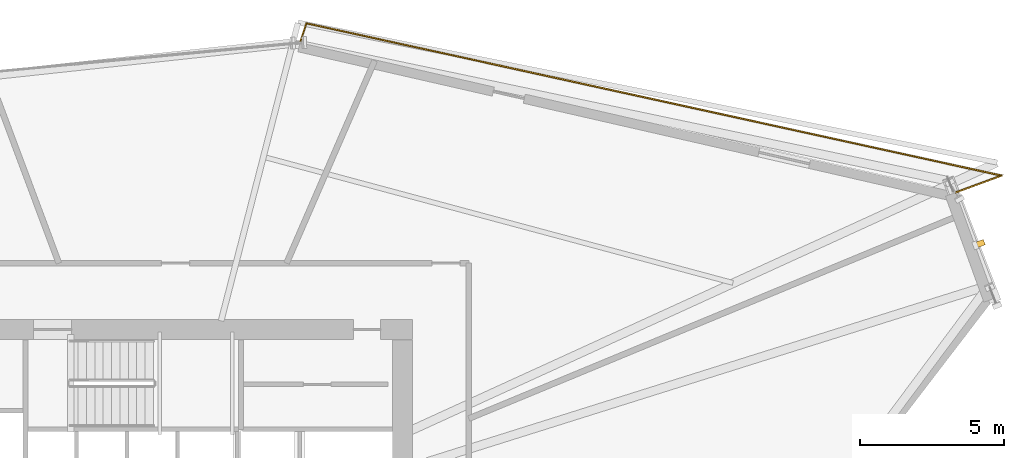
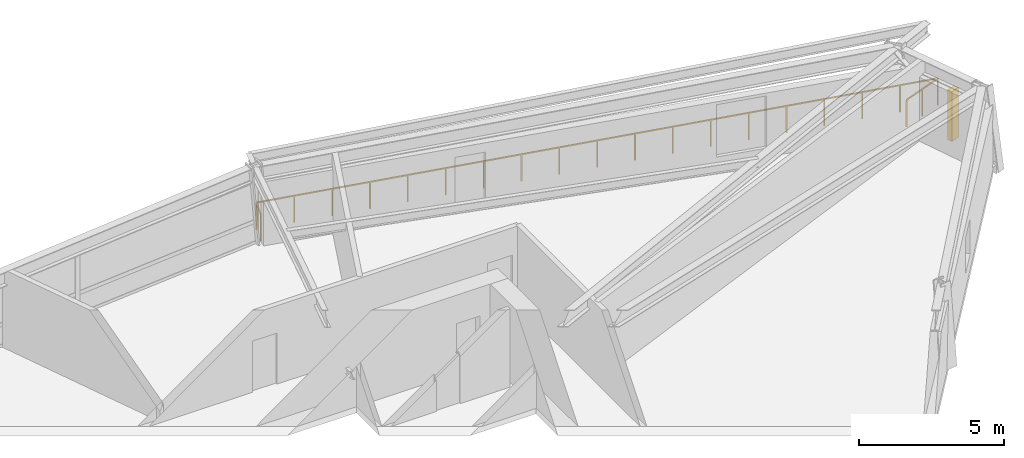
# One storey, part 17 of 17: 1 railing, 1 shading device.
"""IFC4 building model written with IfcOpenShell, lengths in metres."""

import ifcopenshell
import ifcopenshell.guid

model = None  # the IFC model being written
_history = None  # IfcOwnerHistory: only IFC2X3 demands one
_inside = {}  # id of a spatial element -> (the spatial element, [elements in it])
_under = {}  # id of a project, library or spatial element -> (it, [spatial elements below it])
_declared = {}  # id of a project -> (the project, [libraries it declares])
_typed = {}  # id of a type object -> (the type object, [elements of that type])
_made_of = {}  # id of a material, layer set ... -> (it, [elements and type objects made of it])


def new_model(schema):
    """Start an empty IFC model of exactly this schema.

    Asked for "IFC4X3", IfcOpenShell would pick the latest addendum, in which some entities
    have other attributes; the version numbers below select the first issue.
    IFC2X3 requires an IfcOwnerHistory on every rooted entity: one is made here for all.
    """
    global model, _history
    if schema == "IFC4X3":
        model = ifcopenshell.file(schema_version=(4, 3, 0, 0))
    else:
        model = ifcopenshell.file(schema=schema)
    _inside.clear()
    _under.clear()
    _declared.clear()
    _typed.clear()
    _made_of.clear()
    _history = None
    if model.schema == "IFC2X3":
        org = make("IfcOrganization", Name="unknown")
        user = make(
            "IfcPersonAndOrganization",
            ThePerson=make("IfcPerson", FamilyName="unknown"),
            TheOrganization=org,
        )
        app = make(
            "IfcApplication",
            ApplicationDeveloper=org,
            Version="unknown",
            ApplicationFullName="unknown",
            ApplicationIdentifier="unknown",
        )
        _history = make(
            "IfcOwnerHistory",
            OwningUser=user,
            OwningApplication=app,
            ChangeAction="ADDED",
            CreationDate=0,
        )
    return model


def make(cls, **values):
    """One entity of the class cls with the attributes given. An attribute that is None is left unset."""
    return model.create_entity(
        cls, **{name: value for name, value in values.items() if value is not None}
    )


def rooted(cls, **values):
    """An entity with a GlobalId (a new one), such as an element, a storey or a relation."""
    return make(cls, GlobalId=ifcopenshell.guid.new(), OwnerHistory=_history, **values)


def si_unit(unit_type, name, prefix=None):
    """IfcSIUnit, for example si_unit("LENGTHUNIT", "METRE", prefix="MILLI")."""
    return make("IfcSIUnit", UnitType=unit_type, Prefix=prefix, Name=name)


def assignment(units):
    """IfcUnitAssignment: the units of a project."""
    return None if units is None else make("IfcUnitAssignment", Units=units)


def point(xyz):
    """IfcCartesianPoint."""
    return None if xyz is None else make("IfcCartesianPoint", Coordinates=xyz)


def direction(xyz):
    """IfcDirection."""
    return None if xyz is None else make("IfcDirection", DirectionRatios=xyz)


def frame(location, z_axis=None, x_axis=None):
    """IfcAxis2Placement3D, a coordinate frame: its origin and axes. An axis left out is left unset."""
    return make(
        "IfcAxis2Placement3D",
        Location=point(location),
        Axis=direction(z_axis),
        RefDirection=direction(x_axis),
    )


def frame_2d(location, x_axis=None):
    """IfcAxis2Placement2D, a coordinate frame in the plane: its origin and x axis."""
    return make(
        "IfcAxis2Placement2D", Location=point(location), RefDirection=direction(x_axis)
    )


def origin():
    """The frame at (0, 0, 0) with its axes left unset."""
    return frame((0.0, 0.0, 0.0))


def origin_2d():
    """The frame at (0, 0) in the plane with its x axis left unset."""
    return frame_2d((0.0, 0.0))


def place(relative_to, where):
    """IfcLocalPlacement: puts the frame where relative to a parent placement (None: the world)."""
    return make(
        "IfcLocalPlacement", PlacementRelTo=relative_to, RelativePlacement=where
    )


def context(
    kind, dimensions, precision=None, world=None, true_north=None, identifier=None
):
    """IfcGeometricRepresentationContext, for example the 3D "Model" context."""
    return make(
        "IfcGeometricRepresentationContext",
        ContextIdentifier=identifier,
        ContextType=kind,
        CoordinateSpaceDimension=dimensions,
        Precision=precision,
        WorldCoordinateSystem=world,
        TrueNorth=true_north,
    )


def subcontext(parent, identifier, kind, view, scale=None):
    """IfcGeometricRepresentationSubContext, for example "Body" below "Model"."""
    return make(
        "IfcGeometricRepresentationSubContext",
        ContextIdentifier=identifier,
        ContextType=kind,
        ParentContext=parent,
        TargetScale=scale,
        TargetView=view,
    )


def project(units=None, contexts=None):
    """IfcProject with its units and contexts."""
    return rooted(
        "IfcProject",
        Name="project",
        RepresentationContexts=contexts,
        UnitsInContext=assignment(units),
    )


def spatial(cls, under=None, at=None, **own):
    """A site, building, storey or space (cls), placed at a placement, below another one or the project."""
    s = rooted(cls, ObjectPlacement=at, **own)
    if under is not None:
        _under.setdefault(under.id(), (under, []))[1].append(s)
    return s


def profile(cls, at=None, kind="AREA", **sizes):
    """A parametric profile (cls). Its sizes go by their IFC names, for example OverallWidth=200.0."""
    return make(cls, ProfileType=kind, Position=at, **sizes)


def rectangle(**sizes):
    """IfcRectangleProfileDef."""
    return profile("IfcRectangleProfileDef", **sizes)


def extrude(swept, where, along, depth):
    """IfcExtrudedAreaSolid: the profile swept, set in the frame where, extruded along a direction by depth."""
    return make(
        "IfcExtrudedAreaSolid",
        SweptArea=swept,
        Position=where,
        ExtrudedDirection=direction(along),
        Depth=depth,
    )


def shape(context_of_items, identifier, shape_type, items):
    """IfcShapeRepresentation: the items that make up one representation, for example the "Body"."""
    return make(
        "IfcShapeRepresentation",
        ContextOfItems=context_of_items,
        RepresentationIdentifier=identifier,
        RepresentationType=shape_type,
        Items=items,
    )


def source(mapping_origin, context_of_items, identifier, shape_type, items):
    """IfcRepresentationMap: a shape defined once, which mapped items show again and again."""
    return make(
        "IfcRepresentationMap",
        MappingOrigin=mapping_origin,
        MappedRepresentation=shape(context_of_items, identifier, shape_type, items),
    )


def transform(
    local_origin,
    x_axis=None,
    y_axis=None,
    z_axis=None,
    scale=None,
    scale2=None,
    scale3=None,
    uniform=True,
):
    """IfcCartesianTransformationOperator3D, or its non-uniform kind. x_axis, y_axis, z_axis: its Axis1, 2, 3."""
    if uniform:
        return make(
            "IfcCartesianTransformationOperator3D",
            Axis1=direction(x_axis),
            Axis2=direction(y_axis),
            LocalOrigin=point(local_origin),
            Scale=scale,
            Axis3=direction(z_axis),
        )
    return make(
        "IfcCartesianTransformationOperator3DnonUniform",
        Axis1=direction(x_axis),
        Axis2=direction(y_axis),
        LocalOrigin=point(local_origin),
        Scale=scale,
        Axis3=direction(z_axis),
        Scale2=scale2,
        Scale3=scale3,
    )


def mapped(mapping_source, mapping_target):
    """IfcMappedItem: shows the shape of a source again, moved by a transform."""
    return make(
        "IfcMappedItem", MappingSource=mapping_source, MappingTarget=mapping_target
    )


def material(Name=None, Category=None):
    """IfcMaterial."""
    return make("IfcMaterial", Name=Name, Category=Category)


def made_of(thing, what):
    """Note that an element or type object is made of a material, layer set ...; save() writes the relation."""
    if what is not None:
        _made_of.setdefault(what.id(), (what, []))[1].append(thing)
    return thing


def type_object(cls, material=None, **own):
    """A type object (cls), such as IfcWallType, which elements share."""
    return made_of(rooted(cls, **own), material)


def element(
    cls,
    number,
    at=None,
    inside=None,
    cuts=None,
    type_object=None,
    material=None,
    context=None,
    identifier="Body",
    shape_type=None,
    held_by="IfcProductDefinitionShape",
    body=None,
    shapes=None,
    **own,
):
    """One element of the class cls, such as IfcWall. Its Tag is "e" and its number.

    at: its placement. inside: the storey or other place that contains it. cuts: it is an
    opening in that element (IfcRelVoidsElement). A single representation is given by context,
    identifier, shape_type and body (its items); several are given by shapes. held_by: the class
    of the entity that holds the representations. save() writes the other relations.
    """
    e = rooted(cls, Tag="e%d" % number, ObjectPlacement=at, **own)
    if body is not None:
        shapes = [shape(context, identifier, shape_type, body)]
    if shapes is not None:
        e.Representation = make(held_by, Representations=shapes)
    if inside is not None:
        _inside.setdefault(inside.id(), (inside, []))[1].append(e)
    if cuts is not None:
        rooted(
            "IfcRelVoidsElement", RelatingBuildingElement=cuts, RelatedOpeningElement=e
        )
    if type_object is not None:
        _typed.setdefault(type_object.id(), (type_object, []))[1].append(e)
    return made_of(e, material)


def aggregate(whole, parts):
    """IfcRelAggregates: a whole, such as a stair, and the parts it consists of."""
    return rooted("IfcRelAggregates", RelatingObject=whole, RelatedObjects=parts)


def save(model, path):
    """Write the relations noted so far, then the file.

    IfcRelAggregates (storeys below a building ...), IfcRelContainedInSpatialStructure (elements
    in a storey), IfcRelDefinesByType, IfcRelAssociatesMaterial and IfcRelDeclares: one each for
    every whole, place, type object, material and project.
    """
    for whole, parts in _under.values():
        aggregate(whole, parts)
    for where, things in _inside.values():
        rooted(
            "IfcRelContainedInSpatialStructure",
            RelatedElements=things,
            RelatingStructure=where,
        )
    for kind, things in _typed.values():
        rooted("IfcRelDefinesByType", RelatedObjects=things, RelatingType=kind)
    for what, things in _made_of.values():
        rooted("IfcRelAssociatesMaterial", RelatedObjects=things, RelatingMaterial=what)
    for by, libraries in _declared.values():
        rooted("IfcRelDeclares", RelatingContext=by, RelatedDefinitions=libraries)
    model.write(path)


model = new_model("IFC4")

# Units and contexts
model_context = context("Model", 3, precision=1e-05, world=origin(), true_north=direction((0.0, 1.0)))
body_context = subcontext(model_context, "Body", "Model", "MODEL_VIEW")
ifc_project = project(units=[si_unit("LENGTHUNIT", "METRE"), si_unit("AREAUNIT", "SQUARE_METRE"), si_unit("VOLUMEUNIT", "CUBIC_METRE"), si_unit("PLANEANGLEUNIT", "RADIAN"), si_unit("MASSUNIT", "GRAM", prefix="KILO")], contexts=[model_context])

# Site, building, storey
site_placement = place(None, origin())
site = spatial("IfcSite", under=ifc_project, at=site_placement, CompositionType="ELEMENT")
building_placement = place(site_placement, origin())
building = spatial("IfcBuilding", under=site, at=building_placement, Name="Olszyna Solenne Hotel", CompositionType="ELEMENT")
storey_placement = place(building_placement, frame((0.0, 0.0, 116.35009765625)))
storey = spatial("IfcBuildingStorey", under=building, at=storey_placement, Name="L30", CompositionType="ELEMENT", Elevation=116.35009765625)

# Railing
ifc_material_1 = material(Name="Anodised bronze aluminium", Category="aluminium")
railing_type = type_object("IfcRailingType", Name="GR-110", PredefinedType="BALUSTRADE", material=ifc_material_1)
railing_placement = place(storey_placement, frame((65.41015625, 38.798828125, 0.0)))
element("IfcRailing", 1, at=railing_placement, inside=storey, type_object=railing_type, Name="Loggia balcony balustrade guard GR-L30-LG1", PredefinedType="BALUSTRADE", context=body_context, shape_type="SweptSolid", body=[
    extrude(rectangle(XDim=0.048095703125, YDim=0.048095703125, at=origin_2d()), frame((0.0, 0.0, 1.1259765625), z_axis=(0.938335725999, 0.345725418959, 0.0), x_axis=(-0.345725418959, 0.938335725999, 0.0)), (0.0, 0.0, 1.0), 1.69189453125),
    extrude(rectangle(XDim=0.048095703125, YDim=0.048095703125, at=origin_2d()), frame((1.587646484375, 0.5849609375, 1.1259765625), z_axis=(-0.976830687277, 0.214013570582, 0.0), x_axis=(-0.214013570582, -0.976830687277, 0.0)), (0.0, 0.0, 1.0), 24.645263671875),
    extrude(rectangle(XDim=0.048095703125, YDim=0.048095703125, at=origin_2d()), frame((-22.486572265625, 5.859375, 1.1259765625), z_axis=(-0.309817665066, -0.950795989902, 0.0), x_axis=(0.950795989902, -0.309817665066, 0.0)), (0.0, 0.0, 1.0), 0.709228515625),
    extrude(rectangle(XDim=0.0419921875, YDim=0.0419921875, at=origin_2d()), origin(), (0.0, 0.0, 1.0), 1.101806640625),
    extrude(rectangle(XDim=0.0419921875, YDim=0.0419921875, at=origin_2d()), frame((0.7939453125, 0.29248046875, 0.0)), (0.0, 0.0, 1.0), 1.101806640625),
    extrude(rectangle(XDim=0.0419921875, YDim=0.0419921875, at=origin_2d()), frame((1.587646484375, 0.5849609375, 0.0)), (0.0, 0.0, 1.0), 1.101806640625),
    extrude(rectangle(XDim=0.0419921875, YDim=0.0419921875, at=origin_2d()), frame((0.250244140625, 0.8779296875, 0.0)), (0.0, 0.0, 1.0), 1.101806640625),
    extrude(rectangle(XDim=0.0419921875, YDim=0.0419921875, at=origin_2d()), frame((-1.087158203125, 1.1708984375, 0.0)), (0.0, 0.0, 1.0), 1.101806640625),
    extrude(rectangle(XDim=0.0419921875, YDim=0.0419921875, at=origin_2d()), frame((-2.4248046875, 1.464111328125, 0.0)), (0.0, 0.0, 1.0), 1.101806640625),
    extrude(rectangle(XDim=0.0419921875, YDim=0.0419921875, at=origin_2d()), frame((-3.76220703125, 1.757080078125, 0.0)), (0.0, 0.0, 1.0), 1.101806640625),
    extrude(rectangle(XDim=0.0419921875, YDim=0.0419921875, at=origin_2d()), frame((-5.099609375, 2.050048828125, 0.0)), (0.0, 0.0, 1.0), 1.101806640625),
    extrude(rectangle(XDim=0.0419921875, YDim=0.0419921875, at=origin_2d()), frame((-6.43701171875, 2.343017578125, 0.0)), (0.0, 0.0, 1.0), 1.101806640625),
    extrude(rectangle(XDim=0.0419921875, YDim=0.0419921875, at=origin_2d()), frame((-7.774658203125, 2.63623046875, 0.0)), (0.0, 0.0, 1.0), 1.101806640625),
    extrude(rectangle(XDim=0.0419921875, YDim=0.0419921875, at=origin_2d()), frame((-9.112060546875, 2.92919921875, 0.0)), (0.0, 0.0, 1.0), 1.101806640625),
    extrude(rectangle(XDim=0.0419921875, YDim=0.0419921875, at=origin_2d()), frame((-10.449462890625, 3.22216796875, 0.0)), (0.0, 0.0, 1.0), 1.101806640625),
    extrude(rectangle(XDim=0.0419921875, YDim=0.0419921875, at=origin_2d()), frame((-11.786865234375, 3.51513671875, 0.0)), (0.0, 0.0, 1.0), 1.101806640625),
    extrude(rectangle(XDim=0.0419921875, YDim=0.0419921875, at=origin_2d()), frame((-13.124267578125, 3.80810546875, 0.0)), (0.0, 0.0, 1.0), 1.101806640625),
    extrude(rectangle(XDim=0.0419921875, YDim=0.0419921875, at=origin_2d()), frame((-14.4619140625, 4.101318359375, 0.0)), (0.0, 0.0, 1.0), 1.101806640625),
    extrude(rectangle(XDim=0.0419921875, YDim=0.0419921875, at=origin_2d()), frame((-15.79931640625, 4.394287109375, 0.0)), (0.0, 0.0, 1.0), 1.101806640625),
    extrude(rectangle(XDim=0.0419921875, YDim=0.0419921875, at=origin_2d()), frame((-17.13671875, 4.687255859375, 0.0)), (0.0, 0.0, 1.0), 1.101806640625),
    extrude(rectangle(XDim=0.0419921875, YDim=0.0419921875, at=origin_2d()), frame((-18.47412109375, 4.980224609375, 0.0)), (0.0, 0.0, 1.0), 1.101806640625),
    extrude(rectangle(XDim=0.0419921875, YDim=0.0419921875, at=origin_2d()), frame((-19.811767578125, 5.2734375, 0.0)), (0.0, 0.0, 1.0), 1.101806640625),
    extrude(rectangle(XDim=0.0419921875, YDim=0.0419921875, at=origin_2d()), frame((-21.149169921875, 5.56640625, 0.0)), (0.0, 0.0, 1.0), 1.101806640625),
    extrude(rectangle(XDim=0.0419921875, YDim=0.0419921875, at=origin_2d()), frame((-22.486572265625, 5.859375, 0.0)), (0.0, 0.0, 1.0), 1.101806640625),
    extrude(rectangle(XDim=0.0419921875, YDim=0.0419921875, at=origin_2d()), frame((-22.706298828125, 5.18505859375, 0.0)), (0.0, 0.0, 1.0), 1.101806640625),
])

# Shading device
ifc_material_2 = material(Name="Terracotta cladding", Category="masonry")
shading_device_type = type_object("IfcShadingDeviceType", Name="SH-FN1", PredefinedType="USERDEFINED", material=ifc_material_2)
shared_shape = source(origin(), body_context, "Body", "SweptSolid", [
    extrude(rectangle(XDim=0.199951171875, YDim=0.35009765625, at=origin_2d()), origin(), (0.0, 0.0, 1.0), 2.10009765625),
])
shading_device_placement = place(storey_placement, frame((66.236083984375, 37.022216796875, 0.2958984375), z_axis=(0.0, 0.0, 1.0), x_axis=(0.341199976689, -0.93999073182, 0.0)))
element("IfcShadingDevice", 2, at=shading_device_placement, inside=storey, type_object=shading_device_type, Name="Chamfer wind-corner terracotta fin FN-L30-09", ObjectType="FIN", PredefinedType="USERDEFINED", context=body_context, shape_type="MappedRepresentation", body=[
    mapped(shared_shape, transform((0.0, 0.0, 0.0), x_axis=(1.0, 0.0, 0.0), y_axis=(0.0, 1.0, 0.0), z_axis=(0.0, 0.0, 1.0), scale=1.0)),
])

save(model, "model.ifc")
